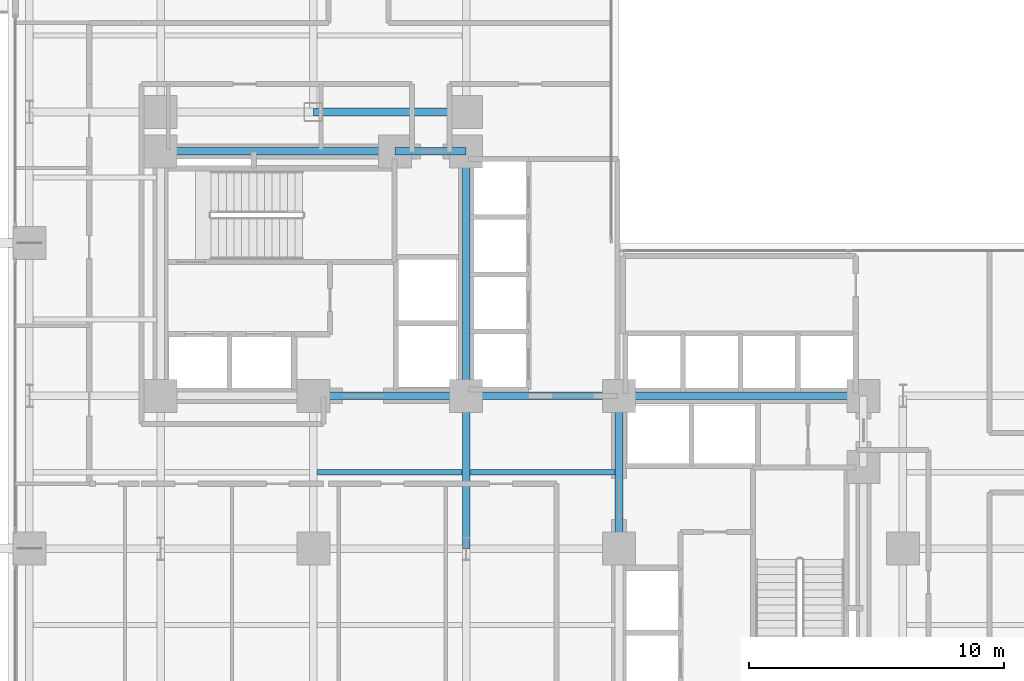
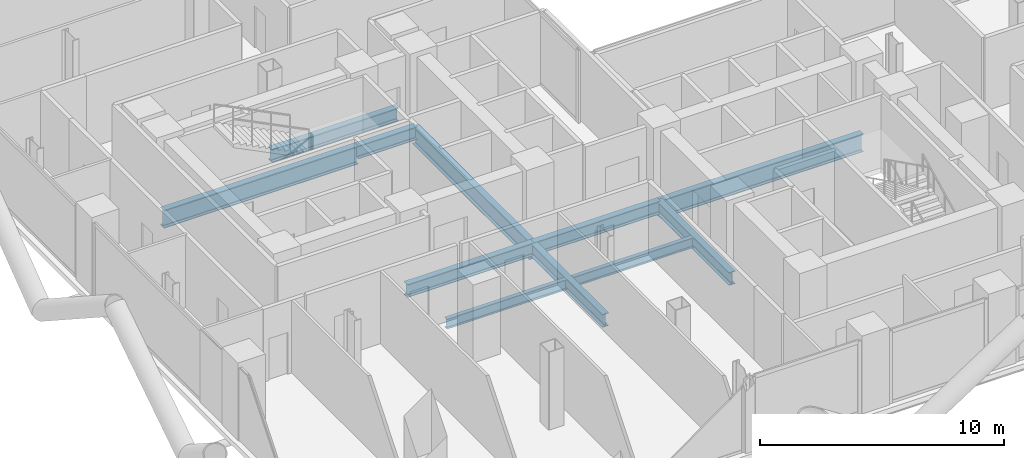
# One storey, part 6 of 27: 11 beams.
"""IFC4 building model written with IfcOpenShell, lengths in metres."""

from ifc_helpers import new_model, si_unit, direction, frame, origin, origin_2d, place, context, subcontext, project, spatial, i_section, extrude, material, material_profile, profile_set, type_object, element, save


model = new_model("IFC4")

# Units and contexts
model_context = context("Model", 3, precision=1e-05, world=origin(), true_north=direction((0.0, 1.0)))
body_context = subcontext(model_context, "Body", "Model", "MODEL_VIEW")
ifc_project = project(units=[si_unit("LENGTHUNIT", "METRE"), si_unit("AREAUNIT", "SQUARE_METRE"), si_unit("VOLUMEUNIT", "CUBIC_METRE"), si_unit("PLANEANGLEUNIT", "RADIAN"), si_unit("MASSUNIT", "GRAM", prefix="KILO"), si_unit("THERMODYNAMICTEMPERATUREUNIT", "KELVIN"), si_unit("POWERUNIT", "WATT")], contexts=[model_context])

# Site, building, storey
site_placement = place(None, origin())
site = spatial("IfcSite", under=ifc_project, at=site_placement, CompositionType="ELEMENT")
building_placement = place(site_placement, origin())
building = spatial("IfcBuilding", under=site, at=building_placement, Name="Svarakhadi Broadcast Tower", CompositionType="ELEMENT")
storey_placement = place(building_placement, frame((0.0, 0.0, 44.10009765625)))
storey = spatial("IfcBuildingStorey", under=building, at=storey_placement, Name="L09", CompositionType="ELEMENT", Elevation=44.10009765625)

# Beams
ifc_material_1 = material(Name="Steel S355J2 (IS 2062 E350C)", Category="steel")
ifc_material_profile_1 = material_profile(ifc_material_1, i_section(OverallWidth=0.199951171875, OverallDepth=0.5, WebThickness=0.01025390625, FlangeThickness=0.01611328125, FilletRadius=0.02099609375, at=origin_2d()), Name="NPB 500x200x91")
ifc_profile_set_1 = profile_set([ifc_material_profile_1], Name="Steel S355J2 (IS 2062 E350C)")
beam_type_1 = type_object("IfcBeamType", Name="Beam_NPB500", PredefinedType="BEAM", material=ifc_profile_set_1)
for number, where, z_axis, x_axis, name in (
    (1, (12.159912109375, 15.0, -0.5), (1.0, 0.0, 0.0), (0.0, 1.0, 0.0), "L09 Secondary Composite Beam SB015"),
    (2, (18.159912109375, 15.0, -0.5), (1.0, 0.0, 0.0), (0.0, 1.0, 0.0), "L09 Secondary Composite Beam SB021"),
):
    element("IfcBeam", number, at=place(storey_placement, frame(where, z_axis=z_axis, x_axis=x_axis)), inside=storey, type_object=beam_type_1, Name=name, PredefinedType="BEAM", context=body_context, shape_type="SweptSolid", body=[
        extrude(i_section(OverallWidth=0.199951171875, OverallDepth=0.5, WebThickness=0.01025390625, FlangeThickness=0.01611328125, FilletRadius=0.02099609375, at=origin_2d()), origin(), (0.0, 0.0, 1.0), 5.68017578125),
    ])
ifc_material_profile_2 = material_profile(ifc_material_1, i_section(OverallWidth=0.300048828125, OverallDepth=0.64990234375, WebThickness=0.01611328125, FlangeThickness=0.031005859375, FilletRadius=0.027099609375, at=origin_2d()), Name="WPB 650x300x225")
ifc_profile_set_2 = profile_set([ifc_material_profile_2], Name="Steel S355J2 (IS 2062 E350C)")
beam_type_2 = type_object("IfcBeamType", Name="Girder_WPB650", PredefinedType="USERDEFINED", material=ifc_profile_set_2)
for number, where, z_axis, x_axis, name in (
    (3, (12.0, 18.0, -0.5751953125), (1.0, 0.0, 0.0), (0.0, 1.0, 0.0), "L09 Primary E-W Girder G027"),
    (4, (18.0, 18.0, -0.5751953125), (1.0, 0.0, 0.0), (0.0, 1.0, 0.0), "L09 Primary E-W Girder G028"),
):
    element("IfcBeam", number, at=place(storey_placement, frame(where, z_axis=z_axis, x_axis=x_axis)), inside=storey, type_object=beam_type_2, Name=name, ObjectType="GIRDER", PredefinedType="USERDEFINED", context=body_context, shape_type="SweptSolid", body=[
        extrude(i_section(OverallWidth=0.300048828125, OverallDepth=0.64990234375, WebThickness=0.01611328125, FlangeThickness=0.031005859375, FilletRadius=0.027099609375, at=origin_2d()), origin(), (0.0, 0.0, 1.0), 6.0),
    ])
beam_1_placement = place(storey_placement, frame((15.199951171875, 27.60009765625, -0.5751953125), z_axis=(1.0, 0.0, 0.0), x_axis=(0.0, 1.0, 0.0)))
element("IfcBeam", 5, at=beam_1_placement, inside=storey, type_object=beam_type_2, Name="L09 Primary E-W Girder G033", ObjectType="GIRDER", PredefinedType="USERDEFINED", context=body_context, shape_type="SweptSolid", body=[
    extrude(i_section(OverallWidth=0.300048828125, OverallDepth=0.64990234375, WebThickness=0.01611328125, FlangeThickness=0.031005859375, FilletRadius=0.027099609375, at=origin_2d()), origin(), (0.0, 0.0, 1.0), 2.800048828125),
])
for number, where, z_axis, x_axis, name in (
    (6, (12.0, 29.14990234375, -0.5751953125), (1.0, 0.0, 0.0), (0.0, 1.0, 0.0), "L09 Primary E-W Girder G036"),
    (7, (18.0, 12.0, -0.5751953125), (0.0, 1.0, 0.0), (-1.0, 0.0, 0.0), "L09 Primary N-S Girder G066"),
    (8, (24.0, 12.0, -0.5751953125), (0.0, 1.0, 0.0), (-1.0, 0.0, 0.0), "L09 Primary N-S Girder G073"),
):
    element("IfcBeam", number, at=place(storey_placement, frame(where, z_axis=z_axis, x_axis=x_axis)), inside=storey, type_object=beam_type_2, Name=name, ObjectType="GIRDER", PredefinedType="USERDEFINED", context=body_context, shape_type="SweptSolid", body=[
        extrude(i_section(OverallWidth=0.300048828125, OverallDepth=0.64990234375, WebThickness=0.01611328125, FlangeThickness=0.031005859375, FilletRadius=0.027099609375, at=origin_2d()), origin(), (0.0, 0.0, 1.0), 6.0),
    ])
ifc_material_2 = material(Name="Steel S460ML (IS 2062 E450BR)", Category="steel")
ifc_material_profile_3 = material_profile(ifc_material_2, i_section(OverallWidth=0.300048828125, OverallDepth=0.89990234375, WebThickness=0.0185546875, FlangeThickness=0.034912109375, FilletRadius=0.030029296875, at=origin_2d()), Name="WPB 900x300x291")
ifc_profile_set_3 = profile_set([ifc_material_profile_3], Name="Steel S460ML (IS 2062 E450BR)")
beam_type_3 = type_object("IfcBeamType", Name="Girder_WPB900", PredefinedType="USERDEFINED", material=ifc_profile_set_3)
beam_2_placement = place(storey_placement, frame((24.0, 18.0, -0.7001953125), z_axis=(1.0, 0.0, 0.0), x_axis=(0.0, 1.0, 0.0)))
element("IfcBeam", 9, at=beam_2_placement, inside=storey, type_object=beam_type_3, Name="L09 Primary E-W Girder G029", ObjectType="GIRDER", PredefinedType="USERDEFINED", context=body_context, shape_type="SweptSolid", body=[
    extrude(i_section(OverallWidth=0.300048828125, OverallDepth=0.89990234375, WebThickness=0.0185546875, FlangeThickness=0.034912109375, FilletRadius=0.030029296875, at=origin_2d()), origin(), (0.0, 0.0, 1.0), 9.60009765625),
])
beam_3_placement = place(storey_placement, frame((6.0, 27.60009765625, -0.7001953125), z_axis=(1.0, 0.0, 0.0), x_axis=(0.0, 1.0, 0.0)))
element("IfcBeam", 10, at=beam_3_placement, inside=storey, type_object=beam_type_3, Name="L09 Primary E-W Girder G032", ObjectType="GIRDER", PredefinedType="USERDEFINED", context=body_context, shape_type="SweptSolid", body=[
    extrude(i_section(OverallWidth=0.300048828125, OverallDepth=0.89990234375, WebThickness=0.0185546875, FlangeThickness=0.034912109375, FilletRadius=0.030029296875, at=origin_2d()), origin(), (0.0, 0.0, 1.0), 9.199951171875),
])
beam_4_placement = place(storey_placement, frame((18.0, 18.0, -0.7001953125), z_axis=(0.0, 1.0, 0.0), x_axis=(-1.0, 0.0, 0.0)))
element("IfcBeam", 11, at=beam_4_placement, inside=storey, type_object=beam_type_3, Name="L09 Primary N-S Girder G067", ObjectType="GIRDER", PredefinedType="USERDEFINED", context=body_context, shape_type="SweptSolid", body=[
    extrude(i_section(OverallWidth=0.300048828125, OverallDepth=0.89990234375, WebThickness=0.0185546875, FlangeThickness=0.034912109375, FilletRadius=0.030029296875, at=origin_2d()), origin(), (0.0, 0.0, 1.0), 9.60009765625),
])

save(model, "model.ifc")
